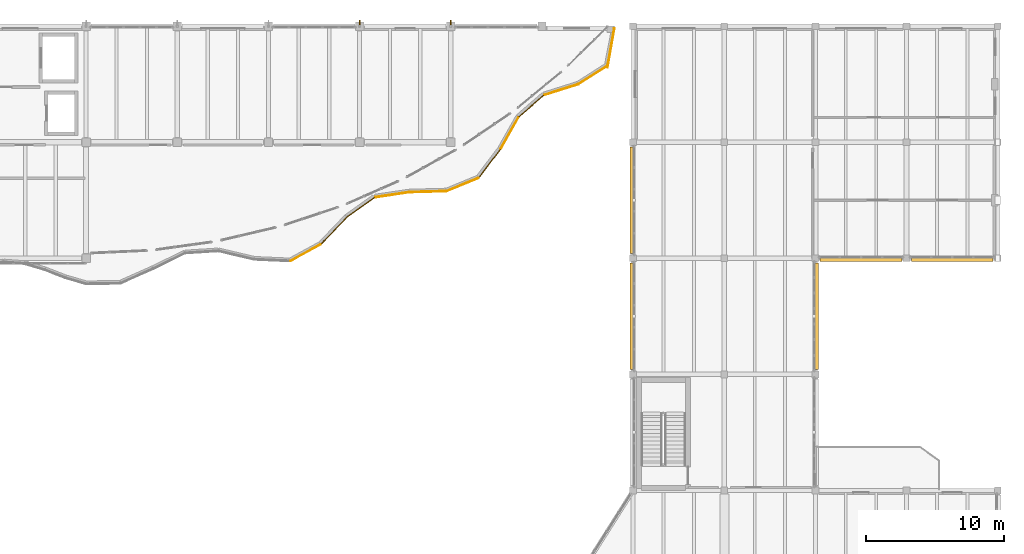
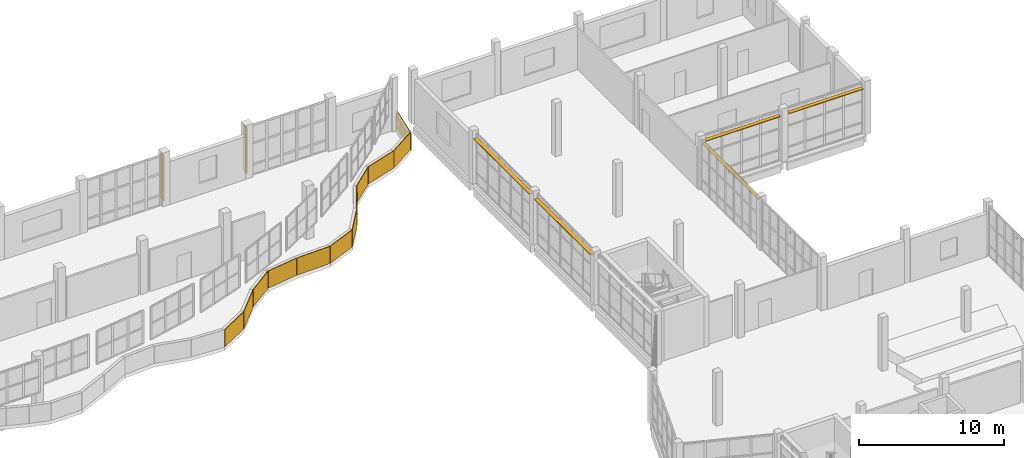
# One storey, part 76 of 76: 12 coverings, 7 shading devices.
"""IFC4 building model written with IfcOpenShell, lengths in metres."""

from ifc_helpers import new_model, si_unit, direction, frame, origin, origin_2d, place, context, subcontext, project, spatial, rectangle, extrude, material, layer, layer_set, type_object, element, save


model = new_model("IFC4")

# Units and contexts
model_context = context("Model", 3, precision=1e-05, world=origin(), true_north=direction((0.0, 1.0)))
body_context = subcontext(model_context, "Body", "Model", "MODEL_VIEW")
ifc_project = project(units=[si_unit("LENGTHUNIT", "METRE"), si_unit("AREAUNIT", "SQUARE_METRE"), si_unit("VOLUMEUNIT", "CUBIC_METRE"), si_unit("PLANEANGLEUNIT", "RADIAN"), si_unit("MASSUNIT", "GRAM", prefix="KILO")], contexts=[model_context])

# Site, building, storey
site_placement = place(None, origin())
site = spatial("IfcSite", under=ifc_project, at=site_placement, CompositionType="ELEMENT")
building_placement = place(site_placement, origin())
building = spatial("IfcBuilding", under=site, at=building_placement, Name="Qaldarim Faculty of Natural and Applied Sciences", CompositionType="ELEMENT")
storey_placement = place(building_placement, frame((0.0, 0.0, 9.89990234375)))
storey = spatial("IfcBuildingStorey", under=building, at=storey_placement, Name="L02", CompositionType="ELEMENT", Elevation=9.89990234375)

# Coverings
ifc_material_1 = material(Name="White architectural precast concrete C40/50", Category="concrete")
ifc_layer_1 = layer(ifc_material_1, 0.06005859375)
ifc_layer_set_1 = layer_set([ifc_layer_1], Name="White architectural precast concrete C40/50")
covering_type = type_object("IfcCoveringType", Name="LimestoneSpandrelCladding-60", PredefinedType="CLADDING", material=ifc_layer_set_1)
covering_1_placement = place(storey_placement, frame((128.080078125, 101.199951171875, 0.0), z_axis=(0.0, 0.0, 1.0), x_axis=(0.87766530189, 0.479274052978, 0.0)))
element("IfcCovering", 1, at=covering_1_placement, inside=storey, type_object=covering_type, Name="White limestone wave band fascia L02 chord 60", PredefinedType="CLADDING", context=body_context, shape_type="SweptSolid", body=[
    extrude(rectangle(XDim=2.4951171875, YDim=0.06005859375, at=origin_2d()), origin(), (0.0, 0.0, 1.0), 1.449951171875),
])
covering_2_placement = place(storey_placement, frame((130.1298828125, 102.784912109375, 0.0), z_axis=(0.0, 0.0, 1.0), x_axis=(0.692306918254, 0.721603167217, 0.0)))
element("IfcCovering", 2, at=covering_2_placement, inside=storey, type_object=covering_type, Name="White limestone wave band fascia L02 chord 61", PredefinedType="CLADDING", context=body_context, shape_type="SweptSolid", body=[
    extrude(rectangle(XDim=2.68994140625, YDim=0.06005859375, at=origin_2d()), origin(), (0.0, 0.0, 1.0), 1.449951171875),
])
covering_3_placement = place(storey_placement, frame((132.080078125, 104.489990234375, 0.0), z_axis=(0.0, 0.0, 1.0), x_axis=(0.814145922776, 0.580660327926, 0.0)))
element("IfcCovering", 3, at=covering_3_placement, inside=storey, type_object=covering_type, Name="White limestone wave band fascia L02 chord 62", PredefinedType="CLADDING", context=body_context, shape_type="SweptSolid", body=[
    extrude(rectangle(XDim=2.425048828125, YDim=0.06005859375, at=origin_2d()), origin(), (0.0, 0.0, 1.0), 1.449951171875),
])
covering_4_placement = place(storey_placement, frame((134.340087890625, 105.39501953125, 0.0), z_axis=(0.0, 0.0, 1.0), x_axis=(0.989095691185, 0.147274280443, 0.0)))
element("IfcCovering", 4, at=covering_4_placement, inside=storey, type_object=covering_type, Name="White limestone wave band fascia L02 chord 63", PredefinedType="CLADDING", context=body_context, shape_type="SweptSolid", body=[
    extrude(rectangle(XDim=2.469970703125, YDim=0.06005859375, at=origin_2d()), origin(), (0.0, 0.0, 1.0), 1.449951171875),
])
covering_5_placement = place(storey_placement, frame((136.945068359375, 105.6201171875, 0.0), z_axis=(0.0, 0.0, 1.0), x_axis=(0.999621242964, 0.027520367267, 0.0)))
element("IfcCovering", 5, at=covering_5_placement, inside=storey, type_object=covering_type, Name="White limestone wave band fascia L02 chord 64", PredefinedType="CLADDING", context=body_context, shape_type="SweptSolid", body=[
    extrude(rectangle(XDim=2.68505859375, YDim=0.06005859375, at=origin_2d()), origin(), (0.0, 0.0, 1.0), 1.449951171875),
])
covering_6_placement = place(storey_placement, frame((139.455078125, 106.135009765625, 0.0), z_axis=(0.0, 0.0, 1.0), x_axis=(0.924019731257, 0.382344787134, 0.0)))
element("IfcCovering", 6, at=covering_6_placement, inside=storey, type_object=covering_type, Name="White limestone wave band fascia L02 chord 65", PredefinedType="CLADDING", context=body_context, shape_type="SweptSolid", body=[
    extrude(rectangle(XDim=2.469970703125, YDim=0.06005859375, at=origin_2d()), origin(), (0.0, 0.0, 1.0), 1.449951171875),
])
covering_7_placement = place(storey_placement, frame((141.405029296875, 107.64990234375, 0.0), z_axis=(0.0, 0.0, 1.0), x_axis=(0.604557407825, 0.796561573668, 0.0)))
element("IfcCovering", 7, at=covering_7_placement, inside=storey, type_object=covering_type, Name="White limestone wave band fascia L02 chord 66", PredefinedType="CLADDING", context=body_context, shape_type="SweptSolid", body=[
    extrude(rectangle(XDim=2.590087890625, YDim=0.06005859375, at=origin_2d()), origin(), (0.0, 0.0, 1.0), 1.449951171875),
])
covering_8_placement = place(storey_placement, frame((142.85498046875, 109.860107421875, 0.0), z_axis=(0.0, 0.0, 1.0), x_axis=(0.491496656276, 0.870879461734, 0.0)))
element("IfcCovering", 8, at=covering_8_placement, inside=storey, type_object=covering_type, Name="White limestone wave band fascia L02 chord 67", PredefinedType="CLADDING", context=body_context, shape_type="SweptSolid", body=[
    extrude(rectangle(XDim=2.635009765625, YDim=0.06005859375, at=origin_2d()), origin(), (0.0, 0.0, 1.0), 1.449951171875),
])
covering_9_placement = place(storey_placement, frame((144.425048828125, 111.81494140625, 0.0), z_axis=(0.0, 0.0, 1.0), x_axis=(0.756310380251, 0.654212968936, 0.0)))
element("IfcCovering", 9, at=covering_9_placement, inside=storey, type_object=covering_type, Name="White limestone wave band fascia L02 chord 68", PredefinedType="CLADDING", context=body_context, shape_type="SweptSolid", body=[
    extrude(rectangle(XDim=2.360107421875, YDim=0.06005859375, at=origin_2d()), origin(), (0.0, 0.0, 1.0), 1.449951171875),
])
covering_10_placement = place(storey_placement, frame((146.60009765625, 113.010009765625, 0.0), z_axis=(0.0, 0.0, 1.0), x_axis=(0.953322510806, 0.301953954091, 0.0)))
element("IfcCovering", 10, at=covering_10_placement, inside=storey, type_object=covering_type, Name="White limestone wave band fascia L02 chord 69", PredefinedType="CLADDING", context=body_context, shape_type="SweptSolid", body=[
    extrude(rectangle(XDim=2.594970703125, YDim=0.06005859375, at=origin_2d()), origin(), (0.0, 0.0, 1.0), 1.449951171875),
])
covering_11_placement = place(storey_placement, frame((148.89501953125, 114.074951171875, 0.0), z_axis=(0.0, 0.0, 1.0), x_axis=(0.842668605578, 0.53843255954, 0.0)))
element("IfcCovering", 11, at=covering_11_placement, inside=storey, type_object=covering_type, Name="White limestone wave band fascia L02 chord 70", PredefinedType="CLADDING", context=body_context, shape_type="SweptSolid", body=[
    extrude(rectangle(XDim=2.4599609375, YDim=0.06005859375, at=origin_2d()), origin(), (0.0, 0.0, 1.0), 1.449951171875),
])
covering_12_placement = place(storey_placement, frame((150.18994140625, 116.030029296875, 0.0), z_axis=(0.0, 0.0, 1.0), x_axis=(0.174370032735, 0.98468019767, 0.0)))
element("IfcCovering", 12, at=covering_12_placement, inside=storey, type_object=covering_type, Name="White limestone wave band fascia L02 chord 71", PredefinedType="CLADDING", context=body_context, shape_type="SweptSolid", body=[
    extrude(rectangle(XDim=2.885009765625, YDim=0.06005859375, at=origin_2d()), origin(), (0.0, 0.0, 1.0), 1.449951171875),
])

# Shading devices
ifc_material_2 = material(Name="Champagne anodised aluminium AW-6063", Category="aluminium")
ifc_layer_2 = layer(ifc_material_2, 0.050048828125)
ifc_layer_set_2 = layer_set([ifc_layer_2], Name="Champagne anodised aluminium AW-6063")
shading_device_type_1 = type_object("IfcShadingDeviceType", Name="SolarLouvre-ALU300x50", PredefinedType="JALOUSIE", material=ifc_layer_set_2)
for number, where, z_axis, x_axis, name in (
    (13, (151.72998046875, 96.60009765625, 3.865234375), (0.0, 0.0, 1.0), (0.0, 1.0, 0.0), "Horizontal solar louvre L02 W X24Y12"),
    (14, (151.72998046875, 105.0, 3.865234375), (0.0, 0.0, 1.0), (0.0, 1.0, 0.0), "Horizontal solar louvre L02 W X24Y13"),
    (15, (165.070068359375, 96.60009765625, 3.865234375), (0.0, 0.0, 1.0), (0.0, 1.0, 0.0), "Horizontal solar louvre L02 E X25Y12"),
):
    element("IfcShadingDevice", number, at=place(storey_placement, frame(where, z_axis=z_axis, x_axis=x_axis)), inside=storey, type_object=shading_device_type_1, Name=name, PredefinedType="JALOUSIE", context=body_context, shape_type="SweptSolid", body=[
        extrude(rectangle(XDim=7.7099609375, YDim=0.300048828125, at=origin_2d()), origin(), (0.0, 0.0, 1.0), 0.050048828125),
    ])
for number, where, z_axis, x_axis, name in (
    (16, (168.300048828125, 100.72998046875, 3.865234375), (0.0, 0.0, 1.0), (1.0, 0.0, 0.0), "Horizontal solar louvre L02 S X26Y13"),
    (17, (174.89990234375, 100.72998046875, 3.865234375), (0.0, 0.0, 1.0), (1.0, 0.0, 0.0), "Horizontal solar louvre L02 S X27Y13"),
):
    element("IfcShadingDevice", number, at=place(storey_placement, frame(where, z_axis=z_axis, x_axis=x_axis)), inside=storey, type_object=shading_device_type_1, Name=name, PredefinedType="JALOUSIE", context=body_context, shape_type="SweptSolid", body=[
        extrude(rectangle(XDim=5.909912109375, YDim=0.300048828125, at=origin_2d()), origin(), (0.0, 0.0, 1.0), 0.050048828125),
    ])
ifc_layer_3 = layer(ifc_material_2, 0.06005859375)
ifc_layer_set_3 = layer_set([ifc_layer_3], Name="Champagne anodised aluminium AW-6063")
shading_device_type_2 = type_object("IfcShadingDeviceType", Name="VerticalSunFin-ALU450x60", PredefinedType="SHUTTER", material=ifc_layer_set_3)
for number, where, z_axis, x_axis, name in (
    (18, (132.0, 117.824951171875, 0.2001953125), (0.0, 0.0, 1.0), (1.0, 0.0, 0.0), "North pier fin FIN-V4N-L02-X21"),
    (19, (138.60009765625, 117.824951171875, 0.2001953125), (0.0, 0.0, 1.0), (1.0, 0.0, 0.0), "North pier fin FIN-V4N-L02-X22"),
):
    element("IfcShadingDevice", number, at=place(storey_placement, frame(where, z_axis=z_axis, x_axis=x_axis)), inside=storey, type_object=shading_device_type_2, Name=name, PredefinedType="SHUTTER", context=body_context, shape_type="SweptSolid", body=[
        extrude(rectangle(XDim=0.06005859375, YDim=0.449951171875, at=origin_2d()), origin(), (0.0, 0.0, 1.0), 3.840087890625),
    ])

save(model, "model.ifc")
